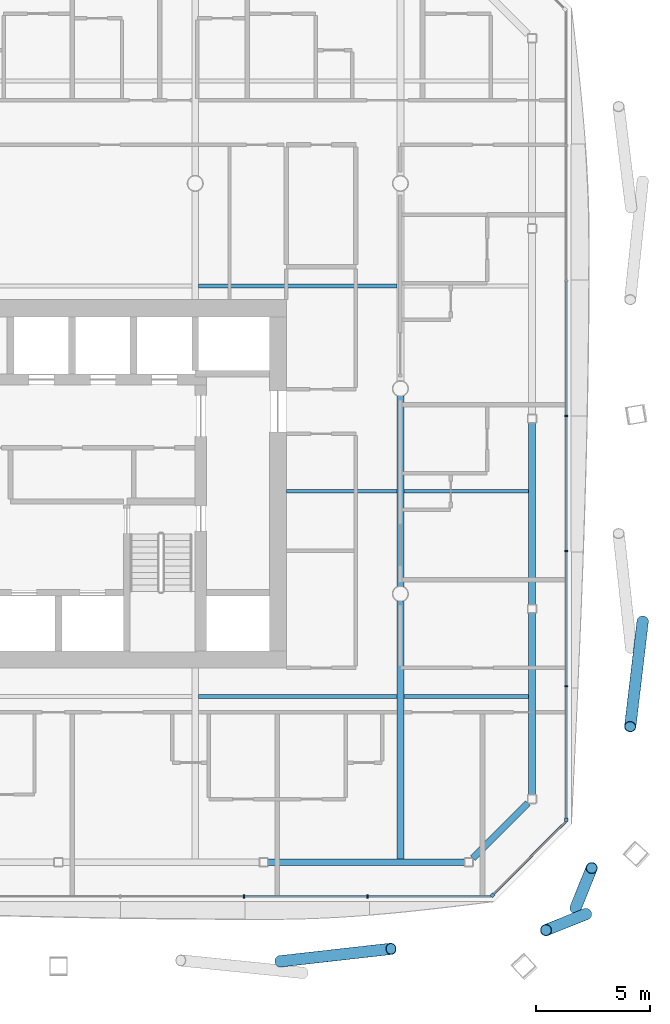
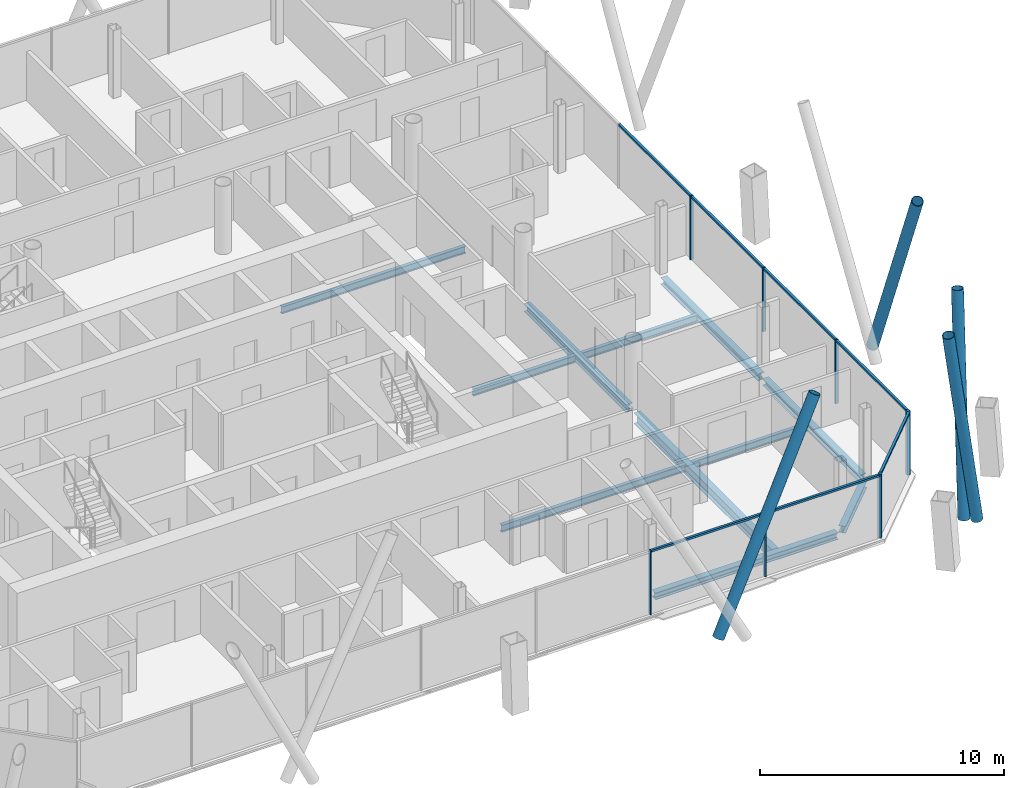
# One storey, part 7 of 23: 18 members, 11 beams, 3 elements without a shape of their own.
"""IFC4 building model written with IfcOpenShell, lengths in metres."""

import ifcopenshell
import ifcopenshell.guid

model = None  # the IFC model being written
_history = None  # IfcOwnerHistory: only IFC2X3 demands one
_inside = {}  # id of a spatial element -> (the spatial element, [elements in it])
_under = {}  # id of a project, library or spatial element -> (it, [spatial elements below it])
_declared = {}  # id of a project -> (the project, [libraries it declares])
_typed = {}  # id of a type object -> (the type object, [elements of that type])
_made_of = {}  # id of a material, layer set ... -> (it, [elements and type objects made of it])


def new_model(schema):
    """Start an empty IFC model of exactly this schema.

    Asked for "IFC4X3", IfcOpenShell would pick the latest addendum, in which some entities
    have other attributes; the version numbers below select the first issue.
    IFC2X3 requires an IfcOwnerHistory on every rooted entity: one is made here for all.
    """
    global model, _history
    if schema == "IFC4X3":
        model = ifcopenshell.file(schema_version=(4, 3, 0, 0))
    else:
        model = ifcopenshell.file(schema=schema)
    _inside.clear()
    _under.clear()
    _declared.clear()
    _typed.clear()
    _made_of.clear()
    _history = None
    if model.schema == "IFC2X3":
        org = make("IfcOrganization", Name="unknown")
        user = make(
            "IfcPersonAndOrganization",
            ThePerson=make("IfcPerson", FamilyName="unknown"),
            TheOrganization=org,
        )
        app = make(
            "IfcApplication",
            ApplicationDeveloper=org,
            Version="unknown",
            ApplicationFullName="unknown",
            ApplicationIdentifier="unknown",
        )
        _history = make(
            "IfcOwnerHistory",
            OwningUser=user,
            OwningApplication=app,
            ChangeAction="ADDED",
            CreationDate=0,
        )
    return model


def make(cls, **values):
    """One entity of the class cls with the attributes given. An attribute that is None is left unset."""
    return model.create_entity(
        cls, **{name: value for name, value in values.items() if value is not None}
    )


def rooted(cls, **values):
    """An entity with a GlobalId (a new one), such as an element, a storey or a relation."""
    return make(cls, GlobalId=ifcopenshell.guid.new(), OwnerHistory=_history, **values)


def si_unit(unit_type, name, prefix=None):
    """IfcSIUnit, for example si_unit("LENGTHUNIT", "METRE", prefix="MILLI")."""
    return make("IfcSIUnit", UnitType=unit_type, Prefix=prefix, Name=name)


def assignment(units):
    """IfcUnitAssignment: the units of a project."""
    return None if units is None else make("IfcUnitAssignment", Units=units)


def point(xyz):
    """IfcCartesianPoint."""
    return None if xyz is None else make("IfcCartesianPoint", Coordinates=xyz)


def direction(xyz):
    """IfcDirection."""
    return None if xyz is None else make("IfcDirection", DirectionRatios=xyz)


def frame(location, z_axis=None, x_axis=None):
    """IfcAxis2Placement3D, a coordinate frame: its origin and axes. An axis left out is left unset."""
    return make(
        "IfcAxis2Placement3D",
        Location=point(location),
        Axis=direction(z_axis),
        RefDirection=direction(x_axis),
    )


def frame_2d(location, x_axis=None):
    """IfcAxis2Placement2D, a coordinate frame in the plane: its origin and x axis."""
    return make(
        "IfcAxis2Placement2D", Location=point(location), RefDirection=direction(x_axis)
    )


def origin():
    """The frame at (0, 0, 0) with its axes left unset."""
    return frame((0.0, 0.0, 0.0))


def origin_2d():
    """The frame at (0, 0) in the plane with its x axis left unset."""
    return frame_2d((0.0, 0.0))


def place(relative_to, where):
    """IfcLocalPlacement: puts the frame where relative to a parent placement (None: the world)."""
    return make(
        "IfcLocalPlacement", PlacementRelTo=relative_to, RelativePlacement=where
    )


def context(
    kind, dimensions, precision=None, world=None, true_north=None, identifier=None
):
    """IfcGeometricRepresentationContext, for example the 3D "Model" context."""
    return make(
        "IfcGeometricRepresentationContext",
        ContextIdentifier=identifier,
        ContextType=kind,
        CoordinateSpaceDimension=dimensions,
        Precision=precision,
        WorldCoordinateSystem=world,
        TrueNorth=true_north,
    )


def subcontext(parent, identifier, kind, view, scale=None):
    """IfcGeometricRepresentationSubContext, for example "Body" below "Model"."""
    return make(
        "IfcGeometricRepresentationSubContext",
        ContextIdentifier=identifier,
        ContextType=kind,
        ParentContext=parent,
        TargetScale=scale,
        TargetView=view,
    )


def project(units=None, contexts=None):
    """IfcProject with its units and contexts."""
    return rooted(
        "IfcProject",
        Name="project",
        RepresentationContexts=contexts,
        UnitsInContext=assignment(units),
    )


def spatial(cls, under=None, at=None, **own):
    """A site, building, storey or space (cls), placed at a placement, below another one or the project."""
    s = rooted(cls, ObjectPlacement=at, **own)
    if under is not None:
        _under.setdefault(under.id(), (under, []))[1].append(s)
    return s


def profile(cls, at=None, kind="AREA", **sizes):
    """A parametric profile (cls). Its sizes go by their IFC names, for example OverallWidth=200.0."""
    return make(cls, ProfileType=kind, Position=at, **sizes)


def rectangle(**sizes):
    """IfcRectangleProfileDef."""
    return profile("IfcRectangleProfileDef", **sizes)


def hollow_circle(**sizes):
    """IfcCircleHollowProfileDef."""
    return profile("IfcCircleHollowProfileDef", **sizes)


def i_section(**sizes):
    """IfcIShapeProfileDef."""
    return profile("IfcIShapeProfileDef", **sizes)


def extrude(swept, where, along, depth):
    """IfcExtrudedAreaSolid: the profile swept, set in the frame where, extruded along a direction by depth."""
    return make(
        "IfcExtrudedAreaSolid",
        SweptArea=swept,
        Position=where,
        ExtrudedDirection=direction(along),
        Depth=depth,
    )


def shape(context_of_items, identifier, shape_type, items):
    """IfcShapeRepresentation: the items that make up one representation, for example the "Body"."""
    return make(
        "IfcShapeRepresentation",
        ContextOfItems=context_of_items,
        RepresentationIdentifier=identifier,
        RepresentationType=shape_type,
        Items=items,
    )


def material(Name=None, Category=None):
    """IfcMaterial."""
    return make("IfcMaterial", Name=Name, Category=Category)


def material_profile(
    of_material, cross_section, Name=None, Category=None, Priority=None
):
    """IfcMaterialProfile: a cross section and its material."""
    return make(
        "IfcMaterialProfile",
        Name=Name,
        Material=of_material,
        Profile=cross_section,
        Priority=Priority,
        Category=Category,
    )


def profile_set(profiles, Name=None, composite=None):
    """IfcMaterialProfileSet."""
    return make(
        "IfcMaterialProfileSet",
        Name=Name,
        MaterialProfiles=profiles,
        CompositeProfile=composite,
    )


def made_of(thing, what):
    """Note that an element or type object is made of a material, layer set ...; save() writes the relation."""
    if what is not None:
        _made_of.setdefault(what.id(), (what, []))[1].append(thing)
    return thing


def type_object(cls, material=None, **own):
    """A type object (cls), such as IfcWallType, which elements share."""
    return made_of(rooted(cls, **own), material)


def element(
    cls,
    number,
    at=None,
    inside=None,
    cuts=None,
    type_object=None,
    material=None,
    context=None,
    identifier="Body",
    shape_type=None,
    held_by="IfcProductDefinitionShape",
    body=None,
    shapes=None,
    **own,
):
    """One element of the class cls, such as IfcWall. Its Tag is "e" and its number.

    at: its placement. inside: the storey or other place that contains it. cuts: it is an
    opening in that element (IfcRelVoidsElement). A single representation is given by context,
    identifier, shape_type and body (its items); several are given by shapes. held_by: the class
    of the entity that holds the representations. save() writes the other relations.
    """
    e = rooted(cls, Tag="e%d" % number, ObjectPlacement=at, **own)
    if body is not None:
        shapes = [shape(context, identifier, shape_type, body)]
    if shapes is not None:
        e.Representation = make(held_by, Representations=shapes)
    if inside is not None:
        _inside.setdefault(inside.id(), (inside, []))[1].append(e)
    if cuts is not None:
        rooted(
            "IfcRelVoidsElement", RelatingBuildingElement=cuts, RelatedOpeningElement=e
        )
    if type_object is not None:
        _typed.setdefault(type_object.id(), (type_object, []))[1].append(e)
    return made_of(e, material)


def aggregate(whole, parts):
    """IfcRelAggregates: a whole, such as a stair, and the parts it consists of."""
    return rooted("IfcRelAggregates", RelatingObject=whole, RelatedObjects=parts)


def save(model, path):
    """Write the relations noted so far, then the file.

    IfcRelAggregates (storeys below a building ...), IfcRelContainedInSpatialStructure (elements
    in a storey), IfcRelDefinesByType, IfcRelAssociatesMaterial and IfcRelDeclares: one each for
    every whole, place, type object, material and project.
    """
    for whole, parts in _under.values():
        aggregate(whole, parts)
    for where, things in _inside.values():
        rooted(
            "IfcRelContainedInSpatialStructure",
            RelatedElements=things,
            RelatingStructure=where,
        )
    for kind, things in _typed.values():
        rooted("IfcRelDefinesByType", RelatedObjects=things, RelatingType=kind)
    for what, things in _made_of.values():
        rooted("IfcRelAssociatesMaterial", RelatedObjects=things, RelatingMaterial=what)
    for by, libraries in _declared.values():
        rooted("IfcRelDeclares", RelatingContext=by, RelatedDefinitions=libraries)
    model.write(path)


model = new_model("IFC4")

# Units and contexts
model_context = context("Model", 3, precision=1e-05, world=origin(), true_north=direction((0.0, 1.0)))
body_context = subcontext(model_context, "Body", "Model", "MODEL_VIEW")
ifc_project = project(units=[si_unit("LENGTHUNIT", "METRE"), si_unit("AREAUNIT", "SQUARE_METRE"), si_unit("VOLUMEUNIT", "CUBIC_METRE"), si_unit("PLANEANGLEUNIT", "RADIAN"), si_unit("MASSUNIT", "GRAM", prefix="KILO")], contexts=[model_context])

# Site, building, storey
site_placement = place(None, origin())
site = spatial("IfcSite", under=ifc_project, at=site_placement, CompositionType="ELEMENT")
building_placement = place(site_placement, origin())
building = spatial("IfcBuilding", under=site, at=building_placement, Name="Tskaro Facet Tower", CompositionType="ELEMENT")
storey_placement = place(building_placement, frame((0.0, 0.0, 141.89990234375)))
storey = spatial("IfcBuildingStorey", under=building, at=storey_placement, Name="L34", CompositionType="ELEMENT", Elevation=141.89990234375)

# Members
ifc_material_1 = material(Name="Steel S355J2H", Category="steel")
ifc_material_profile_1 = material_profile(ifc_material_1, hollow_circle(Radius=0.25390625, WallThickness=0.02490234375, at=origin_2d()), Name="CHS 508x25")
ifc_profile_set_1 = profile_set([ifc_material_profile_1], Name="Steel S355J2H")
member_type_1 = type_object("IfcMemberType", Name="CHS 508x25 brace", PredefinedType="BRACE", material=ifc_profile_set_1)
member_1_placement = place(storey_placement, frame((12.72509765625, -25.117431640625, 0.0), z_axis=(0.429794808504, 0.048404787883, 0.901628193377), x_axis=(-0.111915488277, 0.993717728273, 0.0)))
element("IfcMember", 1, at=member_1_placement, inside=storey, type_object=member_type_1, Name="CHS 508x25 XB02A/3", PredefinedType="BRACE", context=body_context, shape_type="SweptSolid", body=[
    extrude(hollow_circle(Radius=0.25390625, WallThickness=0.02490234375, at=origin_2d()), origin(), (0.0, 0.0, 1.0), 11.31298828125),
])
for number, where, z_axis, x_axis, name in (
    (2, (25.683837890625, -22.77880859375, 0.0), (0.068083554577, 0.169091026489, 0.983246080265), (-0.927628414184, 0.373504384444, 0.0), "CHS 508x25 XB03A/3"),
    (3, (26.13818359375, -23.043212890625, 0.0), (-0.169114158288, -0.06805985886, 0.983243742456), (0.373348563243, -0.92769113951, 0.0), "CHS 508x25 XB03B/3"),
):
    element("IfcMember", number, at=place(storey_placement, frame(where, z_axis=z_axis, x_axis=x_axis)), inside=storey, type_object=member_type_1, Name=name, PredefinedType="BRACE", context=body_context, shape_type="SweptSolid", body=[
        extrude(hollow_circle(Radius=0.25390625, WallThickness=0.02490234375, at=origin_2d()), origin(), (0.0, 0.0, 1.0), 10.3740234375),
    ])
member_2_placement = place(storey_placement, frame((28.62548828125, -10.20361328125, 0.0), z_axis=(-0.0488614599, -0.412317560008, 0.909728963728), x_axis=(0.993051449713, -0.117681001962, 0.0)))
element("IfcMember", 4, at=member_2_placement, inside=storey, type_object=member_type_1, Name="CHS 508x25 XB04B/3", PredefinedType="BRACE", context=body_context, shape_type="SweptSolid", body=[
    extrude(hollow_circle(Radius=0.25390625, WallThickness=0.02490234375, at=origin_2d()), origin(), (0.0, 0.0, 1.0), 11.21240234375),
])

# Curtain wall, member
ifc_material_2 = material(Name="Bronze anodised aluminium 6063-T6", Category="aluminium")
curtain_wall_type = type_object("IfcCurtainWallType", Name="Bronze hotel curtain wall (FW2)", PredefinedType="NOTDEFINED", material=ifc_material_2)
curtain_wall_1_placement = place(storey_placement, origin())
curtain_wall_1 = element("IfcCurtainWall", 5, at=curtain_wall_1_placement, inside=storey, type_object=curtain_wall_type, Name="FW2 south-east facet L34", PredefinedType="NOTDEFINED")
ifc_material_profile_2 = material_profile(ifc_material_2, rectangle(XDim=0.14990234375, YDim=0.14990234375, at=origin_2d()), Name="Corner post 150x150")
ifc_profile_set_2 = profile_set([ifc_material_profile_2], Name="Bronze anodised aluminium 6063-T6")
member_type_2 = type_object("IfcMemberType", Name="FW2 bronze corner post 150x150", PredefinedType="MULLION", material=ifc_profile_set_2)
member_3_placement = place(storey_placement, frame((22.0361328125, -22.218994140625, 0.0), z_axis=(0.0, 0.0, 1.0), x_axis=(0.707106781187, 0.707106781187, 0.0)))
member_3 = element("IfcMember", 6, at=member_3_placement, type_object=member_type_2, Name="FW2 south-east corner post", PredefinedType="MULLION", context=body_context, shape_type="SweptSolid", body=[
    extrude(rectangle(XDim=0.14990234375, YDim=0.14990234375, at=origin_2d()), origin(), (0.0, 0.0, 1.0), 3.2001953125),
])

curtain_wall_2_placement = place(storey_placement, origin())
curtain_wall_2 = element("IfcCurtainWall", 7, at=curtain_wall_2_placement, inside=storey, type_object=curtain_wall_type, Name="FW2 east facet L34", PredefinedType="NOTDEFINED")
member_4_placement = place(storey_placement, frame((25.27197265625, -18.907958984375, 0.0), z_axis=(0.0, 0.0, 1.0), x_axis=(0.0, 1.0, 0.0)))
member_4 = element("IfcMember", 8, at=member_4_placement, type_object=member_type_2, Name="FW2 east corner post", PredefinedType="MULLION", context=body_context, shape_type="SweptSolid", body=[
    extrude(rectangle(XDim=0.14990234375, YDim=0.14990234375, at=origin_2d()), origin(), (0.0, 0.0, 1.0), 3.2001953125),
])

# Curtain wall, members
curtain_wall_3_placement = place(storey_placement, origin())
curtain_wall_3 = element("IfcCurtainWall", 9, at=curtain_wall_3_placement, inside=storey, type_object=curtain_wall_type, Name="FW2 south facet L34", PredefinedType="NOTDEFINED")
ifc_material_profile_3 = material_profile(ifc_material_2, rectangle(XDim=0.06005859375, YDim=0.14990234375, at=origin_2d()), Name="Mullion 60x150")
ifc_profile_set_3 = profile_set([ifc_material_profile_3], Name="Bronze anodised aluminium 6063-T6")
member_type_3 = type_object("IfcMemberType", Name="FW2 bronze mullion 60x150", PredefinedType="MULLION", material=ifc_profile_set_3)
member_5_placement = place(storey_placement, frame((11.135498046875, -22.27197265625, 0.0), z_axis=(0.0, 0.0, 1.0), x_axis=(1.0, 0.0, 0.0)))
member_5 = element("IfcMember", 10, at=member_5_placement, type_object=member_type_3, Name="FW2 south mullion 5", PredefinedType="MULLION", context=body_context, shape_type="SweptSolid", body=[
    extrude(rectangle(XDim=0.06005859375, YDim=0.14990234375, at=origin_2d()), origin(), (0.0, 0.0, 1.0), 3.2001953125),
])
member_6_placement = place(storey_placement, frame((16.559326171875, -22.27197265625, 0.0), z_axis=(0.0, 0.0, 1.0), x_axis=(1.0, 0.0, 0.0)))
member_6 = element("IfcMember", 11, at=member_6_placement, type_object=member_type_3, Name="FW2 south mullion 6", PredefinedType="MULLION", context=body_context, shape_type="SweptSolid", body=[
    extrude(rectangle(XDim=0.06005859375, YDim=0.14990234375, at=origin_2d()), origin(), (0.0, 0.0, 1.0), 3.2001953125),
])

# Member
member_7_placement = place(storey_placement, frame((25.27197265625, -13.053955078125, 0.0), z_axis=(0.0, 0.0, 1.0), x_axis=(0.0, 1.0, 0.0)))
member_7 = element("IfcMember", 12, at=member_7_placement, type_object=member_type_3, Name="FW2 east mullion 1", PredefinedType="MULLION", context=body_context, shape_type="SweptSolid", body=[
    extrude(rectangle(XDim=0.06005859375, YDim=0.14990234375, at=origin_2d()), origin(), (0.0, 0.0, 1.0), 3.2001953125),
])

member_8_placement = place(storey_placement, frame((25.27197265625, -7.124755859375, 0.0), z_axis=(0.0, 0.0, 1.0), x_axis=(0.0, 1.0, 0.0)))
member_8 = element("IfcMember", 13, at=member_8_placement, type_object=member_type_3, Name="FW2 east mullion 2", PredefinedType="MULLION", context=body_context, shape_type="SweptSolid", body=[
    extrude(rectangle(XDim=0.06005859375, YDim=0.14990234375, at=origin_2d()), origin(), (0.0, 0.0, 1.0), 3.2001953125),
])

member_9_placement = place(storey_placement, frame((25.27197265625, -1.195556640625, 0.0), z_axis=(0.0, 0.0, 1.0), x_axis=(0.0, 1.0, 0.0)))
member_9 = element("IfcMember", 14, at=member_9_placement, type_object=member_type_3, Name="FW2 east mullion 3", PredefinedType="MULLION", context=body_context, shape_type="SweptSolid", body=[
    extrude(rectangle(XDim=0.06005859375, YDim=0.14990234375, at=origin_2d()), origin(), (0.0, 0.0, 1.0), 3.2001953125),
])

ifc_material_profile_4 = material_profile(ifc_material_2, rectangle(XDim=0.110107421875, YDim=0.10009765625, at=origin_2d()), Name="Transom 110x100")
ifc_profile_set_4 = profile_set([ifc_material_profile_4], Name="Bronze anodised aluminium 6063-T6")
member_type_4 = type_object("IfcMemberType", Name="FW2 bronze transom 110x100", PredefinedType="USERDEFINED", material=ifc_profile_set_4)
member_10_placement = place(storey_placement, frame((11.16552734375, -22.27197265625, 3.150146484375), z_axis=(1.0, 0.0, 0.0), x_axis=(0.0, 1.0, 0.0)))
member_10 = element("IfcMember", 15, at=member_10_placement, type_object=member_type_4, Name="FW2 south transom 6.1", ObjectType="TRANSOM", PredefinedType="USERDEFINED", context=body_context, shape_type="SweptSolid", body=[
    extrude(rectangle(XDim=0.110107421875, YDim=0.10009765625, at=origin_2d()), origin(), (0.0, 0.0, 1.0), 5.36376953125),
])

member_11_placement = place(storey_placement, frame((16.58935546875, -22.27197265625, 3.150146484375), z_axis=(1.0, 0.0, 0.0), x_axis=(0.0, 1.0, 0.0)))
member_11 = element("IfcMember", 16, at=member_11_placement, type_object=member_type_4, Name="FW2 south transom 7.1", ObjectType="TRANSOM", PredefinedType="USERDEFINED", context=body_context, shape_type="SweptSolid", body=[
    extrude(rectangle(XDim=0.110107421875, YDim=0.10009765625, at=origin_2d()), origin(), (0.0, 0.0, 1.0), 5.3935546875),
])

aggregate(curtain_wall_3, [member_5, member_6, member_10, member_11])

member_12_placement = place(storey_placement, frame((22.089111328125, -22.166015625, 3.150146484375), z_axis=(0.707079662477, 0.707133898856, 0.0), x_axis=(-0.707133898856, 0.707079662477, 0.0)))
member_12 = element("IfcMember", 17, at=member_12_placement, type_object=member_type_4, Name="FW2 south-east transom 1.1", ObjectType="TRANSOM", PredefinedType="USERDEFINED", context=body_context, shape_type="SweptSolid", body=[
    extrude(rectangle(XDim=0.110107421875, YDim=0.10009765625, at=origin_2d()), origin(), (0.0, 0.0, 1.0), 4.50146484375),
])

aggregate(curtain_wall_1, [member_3, member_12])

member_13_placement = place(storey_placement, frame((25.27197265625, -18.8330078125, 3.150146484375), z_axis=(0.0, 1.0, 0.0), x_axis=(-1.0, 0.0, 0.0)))
member_13 = element("IfcMember", 18, at=member_13_placement, type_object=member_type_4, Name="FW2 east transom 1.1", ObjectType="TRANSOM", PredefinedType="USERDEFINED", context=body_context, shape_type="SweptSolid", body=[
    extrude(rectangle(XDim=0.110107421875, YDim=0.10009765625, at=origin_2d()), origin(), (0.0, 0.0, 1.0), 5.749267578125),
])

member_14_placement = place(storey_placement, frame((25.27197265625, -13.02392578125, 3.150146484375), z_axis=(0.0, 1.0, 0.0), x_axis=(-1.0, 0.0, 0.0)))
member_14 = element("IfcMember", 19, at=member_14_placement, type_object=member_type_4, Name="FW2 east transom 2.1", ObjectType="TRANSOM", PredefinedType="USERDEFINED", context=body_context, shape_type="SweptSolid", body=[
    extrude(rectangle(XDim=0.110107421875, YDim=0.10009765625, at=origin_2d()), origin(), (0.0, 0.0, 1.0), 5.869140625),
])

member_15_placement = place(storey_placement, frame((25.27197265625, -7.0947265625, 3.150146484375), z_axis=(0.0, 1.0, 0.0), x_axis=(-1.0, 0.0, 0.0)))
member_15 = element("IfcMember", 20, at=member_15_placement, type_object=member_type_4, Name="FW2 east transom 3.1", ObjectType="TRANSOM", PredefinedType="USERDEFINED", context=body_context, shape_type="SweptSolid", body=[
    extrude(rectangle(XDim=0.110107421875, YDim=0.10009765625, at=origin_2d()), origin(), (0.0, 0.0, 1.0), 5.869140625),
])

member_16_placement = place(storey_placement, frame((25.27197265625, -1.16552734375, 3.150146484375), z_axis=(0.0, 1.0, 0.0), x_axis=(-1.0, 0.0, 0.0)))
member_16 = element("IfcMember", 21, at=member_16_placement, type_object=member_type_4, Name="FW2 east transom 4.1", ObjectType="TRANSOM", PredefinedType="USERDEFINED", context=body_context, shape_type="SweptSolid", body=[
    extrude(rectangle(XDim=0.110107421875, YDim=0.10009765625, at=origin_2d()), origin(), (0.0, 0.0, 1.0), 5.869140625),
])

aggregate(curtain_wall_2, [member_4, member_7, member_8, member_9, member_13, member_14, member_15, member_16])

# Beams
ifc_material_3 = material(Name="Steel S355J2", Category="steel")
ifc_material_profile_5 = material_profile(ifc_material_3, i_section(OverallWidth=0.300048828125, OverallDepth=0.340087890625, WebThickness=0.011962890625, FlangeThickness=0.021484375, FilletRadius=0.027099609375, at=origin_2d()), Name="HE 340 B")
ifc_profile_set_5 = profile_set([ifc_material_profile_5], Name="Steel S355J2")
beam_type_1 = type_object("IfcBeamType", Name="HE 340 B ring beam", PredefinedType="BEAM", material=ifc_profile_set_5)
beam_1_placement = place(storey_placement, frame((12.179931640625, -20.77392578125, -0.309814453125), z_axis=(1.0, 0.0, 0.0), x_axis=(0.0, 1.0, 0.0)))
element("IfcBeam", 22, at=beam_1_placement, inside=storey, type_object=beam_type_1, Name="HE 340 B EB4-3", PredefinedType="BEAM", context=body_context, shape_type="SweptSolid", body=[
    extrude(i_section(OverallWidth=0.300048828125, OverallDepth=0.340087890625, WebThickness=0.011962890625, FlangeThickness=0.021484375, FilletRadius=0.027099609375, at=origin_2d()), origin(), (0.0, 0.0, 1.0), 8.63916015625),
])
beam_2_placement = place(storey_placement, frame((21.184814453125, -20.588134765625, -0.309814453125), z_axis=(0.707106781187, 0.707106781187, 0.0), x_axis=(-0.707106781187, 0.707106781187, 0.0)))
element("IfcBeam", 23, at=beam_2_placement, inside=storey, type_object=beam_type_1, Name="HE 340 B EB5-3", PredefinedType="BEAM", context=body_context, shape_type="SweptSolid", body=[
    extrude(i_section(OverallWidth=0.300048828125, OverallDepth=0.340087890625, WebThickness=0.011962890625, FlangeThickness=0.021484375, FilletRadius=0.027099609375, at=origin_2d()), origin(), (0.0, 0.0, 1.0), 3.39892578125),
])
beam_3_placement = place(storey_placement, frame((23.77392578125, -17.819091796875, -0.309814453125), z_axis=(0.0, 1.0, 0.0), x_axis=(-1.0, 0.0, 0.0)))
element("IfcBeam", 24, at=beam_3_placement, inside=storey, type_object=beam_type_1, Name="HE 340 B EB6-3", PredefinedType="BEAM", context=body_context, shape_type="SweptSolid", body=[
    extrude(i_section(OverallWidth=0.300048828125, OverallDepth=0.340087890625, WebThickness=0.011962890625, FlangeThickness=0.021484375, FilletRadius=0.027099609375, at=origin_2d()), origin(), (0.0, 0.0, 1.0), 7.982177734375),
])
beam_4_placement = place(storey_placement, frame((23.77392578125, -9.47705078125, -0.309814453125), z_axis=(0.0, 1.0, 0.0), x_axis=(-1.0, 0.0, 0.0)))
element("IfcBeam", 25, at=beam_4_placement, inside=storey, type_object=beam_type_1, Name="HE 340 B EB7-3", PredefinedType="BEAM", context=body_context, shape_type="SweptSolid", body=[
    extrude(i_section(OverallWidth=0.300048828125, OverallDepth=0.340087890625, WebThickness=0.011962890625, FlangeThickness=0.021484375, FilletRadius=0.027099609375, at=origin_2d()), origin(), (0.0, 0.0, 1.0), 7.98095703125),
])
ifc_material_profile_6 = material_profile(ifc_material_3, i_section(OverallWidth=0.300048828125, OverallDepth=0.389892578125, WebThickness=0.010986328125, FlangeThickness=0.01904296875, FilletRadius=0.027099609375, at=origin_2d()), Name="HE 400 A")
ifc_profile_set_6 = profile_set([ifc_material_profile_6], Name="Steel S355J2")
beam_type_2 = type_object("IfcBeamType", Name="HE 400 A girder", PredefinedType="BEAM", material=ifc_profile_set_6)
beam_5_placement = place(storey_placement, frame((18.0, -8.674560546875, -0.3349609375), z_axis=(0.0, 1.0, 0.0), x_axis=(-1.0, 0.0, 0.0)))
element("IfcBeam", 26, at=beam_5_placement, inside=storey, type_object=beam_type_2, Name="HE 400 A GB6-2-3", PredefinedType="BEAM", context=body_context, shape_type="SweptSolid", body=[
    extrude(i_section(OverallWidth=0.300048828125, OverallDepth=0.389892578125, WebThickness=0.010986328125, FlangeThickness=0.01904296875, FilletRadius=0.027099609375, at=origin_2d()), origin(), (0.0, 0.0, 1.0), 8.34912109375),
])
ifc_material_profile_7 = material_profile(ifc_material_3, i_section(OverallWidth=0.300048828125, OverallDepth=0.5400390625, WebThickness=0.012451171875, FlangeThickness=0.02392578125, FilletRadius=0.027099609375, at=origin_2d()), Name="HE 550 A")
ifc_profile_set_7 = profile_set([ifc_material_profile_7], Name="Steel S355J2")
beam_type_3 = type_object("IfcBeamType", Name="HE 550 A long girder", PredefinedType="BEAM", material=ifc_profile_set_7)
beam_6_placement = place(storey_placement, frame((18.0, -20.6240234375, -0.409912109375), z_axis=(0.0, 1.0, 0.0), x_axis=(-1.0, 0.0, 0.0)))
element("IfcBeam", 27, at=beam_6_placement, inside=storey, type_object=beam_type_3, Name="HE 550 A LGB6-1-3", PredefinedType="BEAM", context=body_context, shape_type="SweptSolid", body=[
    extrude(i_section(OverallWidth=0.300048828125, OverallDepth=0.5400390625, WebThickness=0.012451171875, FlangeThickness=0.02392578125, FilletRadius=0.027099609375, at=origin_2d()), origin(), (0.0, 0.0, 1.0), 11.298583984375),
])
ifc_material_profile_8 = material_profile(ifc_material_3, i_section(OverallWidth=0.169921875, OverallDepth=0.360107421875, WebThickness=0.008056640625, FlangeThickness=0.0126953125, FilletRadius=0.01806640625, at=origin_2d()), Name="IPE 360")
ifc_profile_set_8 = profile_set([ifc_material_profile_8], Name="Steel S355J2")
beam_type_4 = type_object("IfcBeamType", Name="IPE 360 secondary beam", PredefinedType="BEAM", material=ifc_profile_set_8)
beam_7_placement = place(storey_placement, frame((9.14990234375, -13.5, -0.31982421875), z_axis=(1.0, 0.0, 0.0), x_axis=(0.0, 1.0, 0.0)))
element("IfcBeam", 28, at=beam_7_placement, inside=storey, type_object=beam_type_4, Name="IPE 360 SB2a-4-3", PredefinedType="BEAM", context=body_context, shape_type="SweptSolid", body=[
    extrude(i_section(OverallWidth=0.169921875, OverallDepth=0.360107421875, WebThickness=0.008056640625, FlangeThickness=0.0126953125, FilletRadius=0.01806640625, at=origin_2d()), origin(), (0.0, 0.0, 1.0), 8.7001953125),
])
beam_8_placement = place(storey_placement, frame((18.14990234375, -13.5, -0.31982421875), z_axis=(1.0, 0.0, 0.0), x_axis=(0.0, 1.0, 0.0)))
element("IfcBeam", 29, at=beam_8_placement, inside=storey, type_object=beam_type_4, Name="IPE 360 SB2a-5-3", PredefinedType="BEAM", context=body_context, shape_type="SweptSolid", body=[
    extrude(i_section(OverallWidth=0.169921875, OverallDepth=0.360107421875, WebThickness=0.008056640625, FlangeThickness=0.0126953125, FilletRadius=0.01806640625, at=origin_2d()), origin(), (0.0, 0.0, 1.0), 5.47412109375),
])
beam_9_placement = place(storey_placement, frame((13.0, -4.5, -0.31982421875), z_axis=(1.0, 0.0, 0.0), x_axis=(0.0, 1.0, 0.0)))
element("IfcBeam", 30, at=beam_9_placement, inside=storey, type_object=beam_type_4, Name="IPE 360 SB3a-2-3", PredefinedType="BEAM", context=body_context, shape_type="SweptSolid", body=[
    extrude(i_section(OverallWidth=0.169921875, OverallDepth=0.360107421875, WebThickness=0.008056640625, FlangeThickness=0.0126953125, FilletRadius=0.01806640625, at=origin_2d()), origin(), (0.0, 0.0, 1.0), 4.85009765625),
])
beam_10_placement = place(storey_placement, frame((18.14990234375, -4.5, -0.31982421875), z_axis=(1.0, 0.0, 0.0), x_axis=(0.0, 1.0, 0.0)))
element("IfcBeam", 31, at=beam_10_placement, inside=storey, type_object=beam_type_4, Name="IPE 360 SB3a-3-3", PredefinedType="BEAM", context=body_context, shape_type="SweptSolid", body=[
    extrude(i_section(OverallWidth=0.169921875, OverallDepth=0.360107421875, WebThickness=0.008056640625, FlangeThickness=0.0126953125, FilletRadius=0.01806640625, at=origin_2d()), origin(), (0.0, 0.0, 1.0), 5.47412109375),
])
beam_11_placement = place(storey_placement, frame((9.14990234375, 4.5, -0.31982421875), z_axis=(1.0, 0.0, 0.0), x_axis=(0.0, 1.0, 0.0)))
element("IfcBeam", 32, at=beam_11_placement, inside=storey, type_object=beam_type_4, Name="IPE 360 SB4a-4-3", PredefinedType="BEAM", context=body_context, shape_type="SweptSolid", body=[
    extrude(i_section(OverallWidth=0.169921875, OverallDepth=0.360107421875, WebThickness=0.008056640625, FlangeThickness=0.0126953125, FilletRadius=0.01806640625, at=origin_2d()), origin(), (0.0, 0.0, 1.0), 8.7001953125),
])

save(model, "model.ifc")
